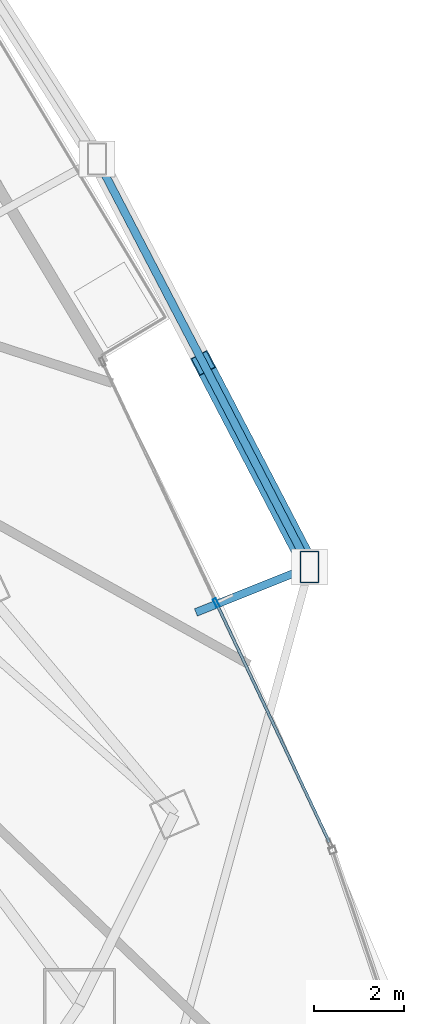
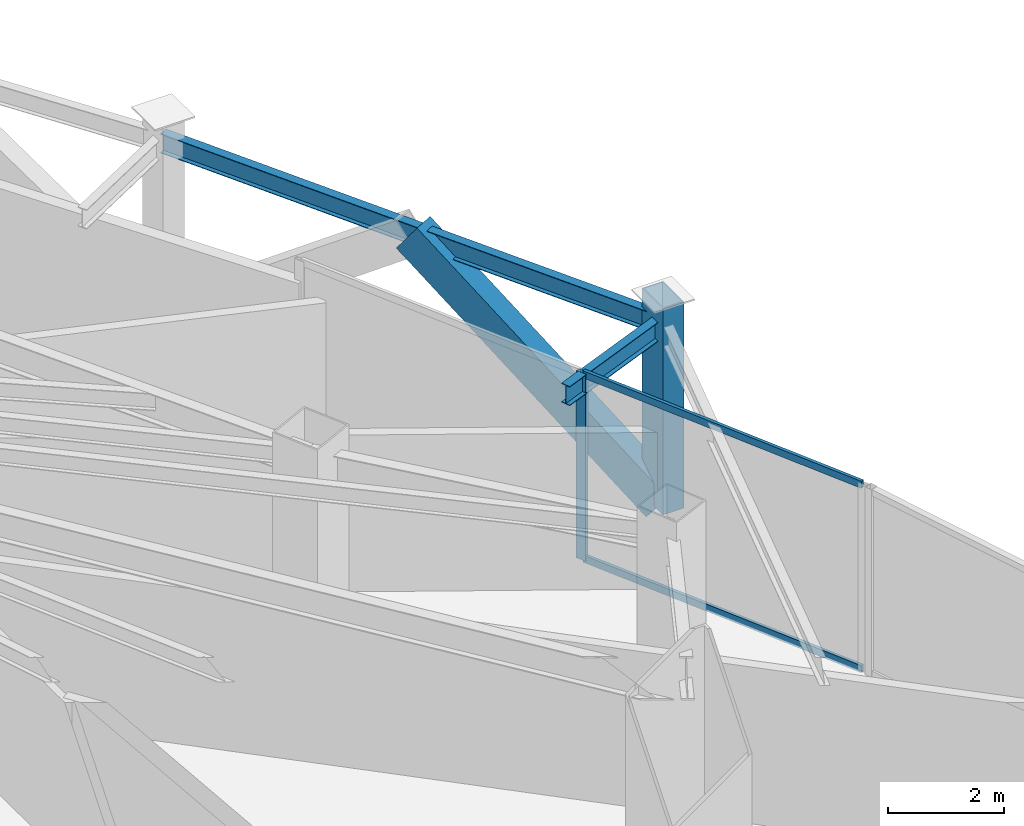
# One storey, part 18 of 33: 5 members, 2 beams, 1 element without a shape of its own.
"""IFC4 building model written with IfcOpenShell, lengths in metres."""

from ifc_helpers import new_model, si_unit, direction, frame, origin, origin_2d, place, context, subcontext, project, spatial, hollow_rectangle, i_section, extrude, material, layer, layer_set, material_profile, profile_set, type_object, element, aggregate, save


model = new_model("IFC4")

# Units and contexts
model_context = context("Model", 3, precision=1e-05, world=origin(), true_north=direction((0.0, 1.0)))
body_context = subcontext(model_context, "Body", "Model", "MODEL_VIEW")
ifc_project = project(units=[si_unit("LENGTHUNIT", "METRE"), si_unit("AREAUNIT", "SQUARE_METRE"), si_unit("VOLUMEUNIT", "CUBIC_METRE"), si_unit("PLANEANGLEUNIT", "RADIAN"), si_unit("MASSUNIT", "GRAM", prefix="KILO")], contexts=[model_context])

# Site, building, storey
site_placement = place(None, origin())
site = spatial("IfcSite", under=ifc_project, at=site_placement, CompositionType="ELEMENT")
building_placement = place(site_placement, origin())
building = spatial("IfcBuilding", under=site, at=building_placement, Name="Orvanel Arch Residences", CompositionType="ELEMENT")
storey_placement = place(building_placement, frame((0.0, 0.0, 97.25)))
storey = spatial("IfcBuildingStorey", under=building, at=storey_placement, Name="L27", CompositionType="ELEMENT", Elevation=97.25)

# Members
ifc_material_1 = material(Name="Structural steel AS/NZS 3678 Grade 350", Category="steel")
ifc_material_profile_1 = material_profile(ifc_material_1, hollow_rectangle(XDim=0.419921875, YDim=0.719970703125, WallThickness=0.02490234375, at=origin_2d()), Name="RHS720x420x25")
ifc_profile_set_1 = profile_set([ifc_material_profile_1], Name="Structural steel AS/NZS 3678 Grade 350")
member_type_1 = type_object("IfcMemberType", Name="BR-720RHS-EXT", PredefinedType="BRACE", material=ifc_profile_set_1)
member_1_placement = place(storey_placement, frame((56.909912109375, 20.080078125, 0.0), z_axis=(-0.372712018198, 0.715346738791, 0.591070888127), x_axis=(-0.886845204903, -0.462066642964, 0.0)))
element("IfcMember", 1, at=member_1_placement, inside=storey, type_object=member_type_1, Name="L27 Exterior Sky-Garden V-Frame Chevron F3B1.1", PredefinedType="BRACE", context=body_context, shape_type="SweptSolid", body=[
    extrude(hollow_rectangle(XDim=0.419921875, YDim=0.719970703125, WallThickness=0.02490234375, at=origin_2d()), origin(), (0.0, 0.0, 1.0), 6.33935546875),
])
ifc_material_profile_2 = material_profile(ifc_material_1, hollow_rectangle(XDim=0.419921875, YDim=0.719970703125, WallThickness=0.02490234375, at=origin_2d()), Name="RHS720x420x25")
ifc_profile_set_2 = profile_set([ifc_material_profile_2], Name="Structural steel AS/NZS 3678 Grade 350")
member_type_2 = type_object("IfcMemberType", Name="CH-720RHS-EXT", PredefinedType="CHORD", material=ifc_profile_set_2)
member_2_placement = place(storey_placement, frame((56.909912109375, 20.080078125, 0.0), z_axis=(0.0, 0.0, 1.0), x_axis=(1.0, 0.0, 0.0)))
element("IfcMember", 2, at=member_2_placement, inside=storey, type_object=member_type_2, Name="L27 Outer Perimeter Frame Post 09", PredefinedType="CHORD", context=body_context, shape_type="SweptSolid", body=[
    extrude(hollow_rectangle(XDim=0.419921875, YDim=0.719970703125, WallThickness=0.02490234375, at=origin_2d()), origin(), (0.0, 0.0, 1.0), 4.35009765625),
])

# Curtain wall, member
ifc_material_2 = material(Name="Bronze-anodised aluminium AA6063-T6", Category="aluminium")
ifc_layer = layer(ifc_material_2, 0.195068359375)
ifc_layer_set = layer_set([ifc_layer], Name="Bronze-anodised aluminium AA6063-T6")
curtain_wall_type = type_object("IfcCurtainWallType", Name="CW6-COM-SYS", PredefinedType="NOTDEFINED", material=ifc_layer_set)
curtain_wall_placement = place(storey_placement, origin())
curtain_wall = element("IfcCurtainWall", 3, at=curtain_wall_placement, inside=storey, type_object=curtain_wall_type, Name="L27 CW6-COM-SYS Unitised Curtain Wall", PredefinedType="NOTDEFINED")
ifc_material_profile_3 = material_profile(ifc_material_2, hollow_rectangle(XDim=0.074951171875, YDim=0.199951171875, WallThickness=0.0048828125, at=origin_2d()), Name="ALU200x75x5")
ifc_profile_set_3 = profile_set([ifc_material_profile_3], Name="Bronze-anodised aluminium AA6063-T6")
member_type_3 = type_object("IfcMemberType", Name="MUL-200x75", PredefinedType="MULLION", material=ifc_profile_set_3)
member_3_placement = place(storey_placement, frame((54.83740234375, 19.283447265625, 0.0), z_axis=(0.0, 0.0, 1.0), x_axis=(-0.904253146381, -0.426996776639, 0.0)))
member_3 = element("IfcMember", 4, at=member_3_placement, type_object=member_type_3, Name="CW-S6 mullion 2", PredefinedType="MULLION", context=body_context, shape_type="SweptSolid", body=[
    extrude(hollow_rectangle(XDim=0.074951171875, YDim=0.199951171875, WallThickness=0.0048828125, at=origin_2d()), origin(), (0.0, 0.0, 1.0), 3.949951171875),
])

# Beams
ifc_material_3 = material(Name="Structural steel AS/NZS 3679.1 Grade 300 (300 MPa)", Category="steel")
ifc_material_profile_4 = material_profile(ifc_material_3, i_section(OverallWidth=0.177978515625, OverallDepth=0.406005859375, WebThickness=0.0078125, FlangeThickness=0.0126953125, at=origin_2d()), Name="410UB59.7")
ifc_profile_set_4 = profile_set([ifc_material_profile_4], Name="Structural steel AS/NZS 3679.1 Grade 300 (300 MPa)")
beam_type = type_object("IfcBeamType", Name="OB-410UB-EXT", PredefinedType="SPANDREL", material=ifc_profile_set_4)
beam_1_placement = place(storey_placement, frame((54.385009765625, 19.071044921875, 3.7470703125), z_axis=(0.928594298398, 0.37109652246, 0.0), x_axis=(-0.37109652246, 0.928594298398, 0.0)))
element("IfcBeam", 5, at=beam_1_placement, inside=storey, type_object=beam_type, Name="L27 Outer Frame Radial Tie Beam 09", PredefinedType="SPANDREL", context=body_context, shape_type="SweptSolid", body=[
    extrude(i_section(OverallWidth=0.177978515625, OverallDepth=0.406005859375, WebThickness=0.0078125, FlangeThickness=0.0126953125, at=origin_2d()), origin(), (0.0, 0.0, 1.0), 2.718994140625),
])
beam_2_placement = place(storey_placement, frame((56.909912109375, 20.080078125, 3.7470703125), z_axis=(-0.462010314558, 0.886874551017, 0.0), x_axis=(-0.886874551017, -0.462010314558, 0.0)))
element("IfcBeam", 6, at=beam_2_placement, inside=storey, type_object=beam_type, Name="L27 Outer Perimeter Floor Ring Beam 09", PredefinedType="SPANDREL", context=body_context, shape_type="SweptSolid", body=[
    extrude(i_section(OverallWidth=0.177978515625, OverallDepth=0.406005859375, WebThickness=0.0078125, FlangeThickness=0.0126953125, at=origin_2d()), origin(), (0.0, 0.0, 1.0), 10.226806640625),
])

# Member
ifc_material_profile_5 = material_profile(ifc_material_2, hollow_rectangle(XDim=0.06494140625, YDim=0.14990234375, WallThickness=0.00390625, at=origin_2d()), Name="ALU150x65x4")
ifc_profile_set_5 = profile_set([ifc_material_profile_5], Name="Bronze-anodised aluminium AA6063-T6")
member_type_4 = type_object("IfcMemberType", Name="TRN-150x65", PredefinedType="USERDEFINED", material=ifc_profile_set_5)
member_4_placement = place(storey_placement, frame((57.349853515625, 13.962890625, 0.032470703125), z_axis=(-0.426989232744, 0.90425670864, 0.0), x_axis=(-0.90425670864, -0.426989232744, 0.0)))
member_4 = element("IfcMember", 7, at=member_4_placement, type_object=member_type_4, Name="CW-S6 transom 1.1", ObjectType="TRANSOM", PredefinedType="USERDEFINED", context=body_context, shape_type="SweptSolid", body=[
    extrude(hollow_rectangle(XDim=0.06494140625, YDim=0.14990234375, WallThickness=0.00390625, at=origin_2d()), origin(), (0.0, 0.0, 1.0), 5.846435546875),
])

member_5_placement = place(storey_placement, frame((57.349853515625, 13.962890625, 3.91748046875), z_axis=(-0.426989232744, 0.90425670864, 0.0), x_axis=(-0.90425670864, -0.426989232744, 0.0)))
member_5 = element("IfcMember", 8, at=member_5_placement, type_object=member_type_4, Name="CW-S6 transom 1.2", ObjectType="TRANSOM", PredefinedType="USERDEFINED", context=body_context, shape_type="SweptSolid", body=[
    extrude(hollow_rectangle(XDim=0.06494140625, YDim=0.14990234375, WallThickness=0.00390625, at=origin_2d()), origin(), (0.0, 0.0, 1.0), 5.846435546875),
])

aggregate(curtain_wall, [member_3, member_4, member_5])

save(model, "model.ifc")
